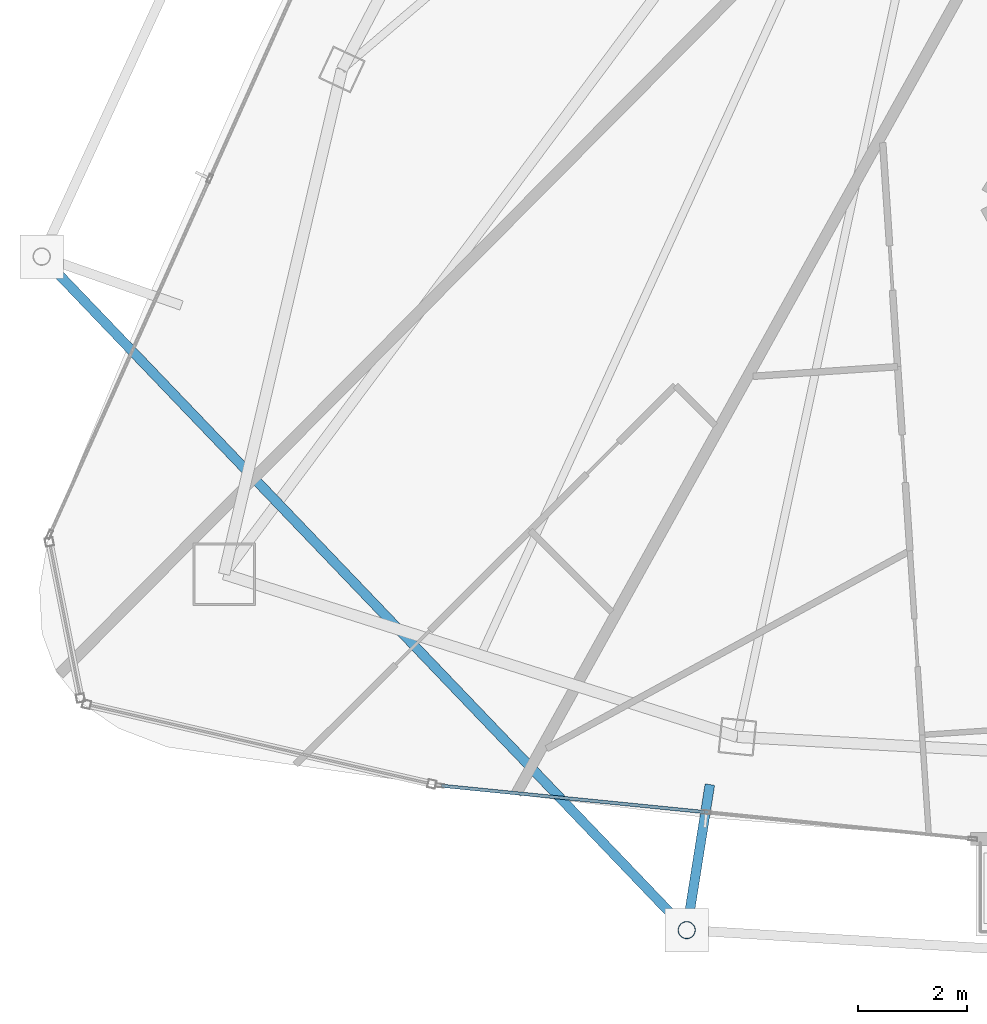
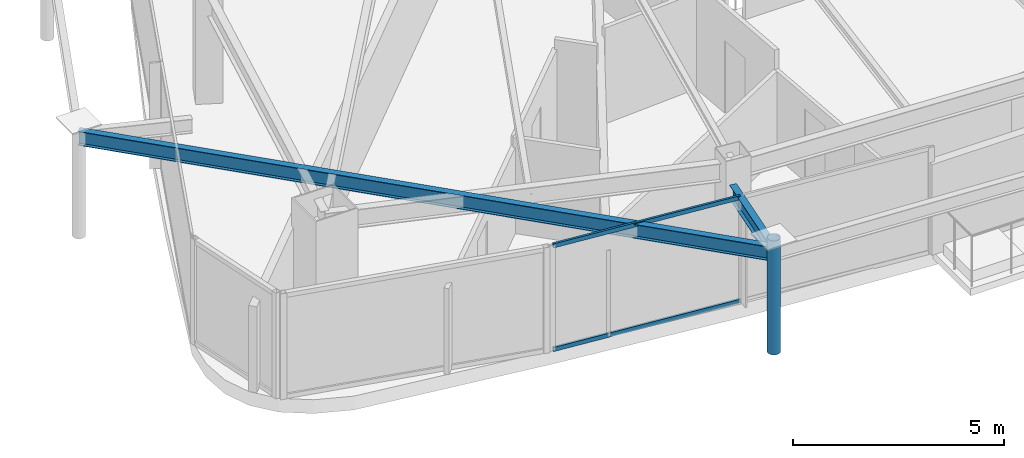
# One storey, part 3 of 29: 3 members, 2 beams, 1 element without a shape of its own.
"""IFC4 building model written with IfcOpenShell, lengths in metres."""

from ifc_helpers import new_model, si_unit, direction, frame, origin, origin_2d, place, context, subcontext, project, spatial, hollow_rectangle, hollow_circle, i_section, extrude, material, layer, layer_set, material_profile, profile_set, type_object, element, aggregate, save


model = new_model("IFC4")

# Units and contexts
model_context = context("Model", 3, precision=1e-05, world=origin(), true_north=direction((0.0, 1.0)))
body_context = subcontext(model_context, "Body", "Model", "MODEL_VIEW")
ifc_project = project(units=[si_unit("LENGTHUNIT", "METRE"), si_unit("AREAUNIT", "SQUARE_METRE"), si_unit("VOLUMEUNIT", "CUBIC_METRE"), si_unit("PLANEANGLEUNIT", "RADIAN"), si_unit("MASSUNIT", "GRAM", prefix="KILO")], contexts=[model_context])

# Site, building, storey
site_placement = place(None, origin())
site = spatial("IfcSite", under=ifc_project, at=site_placement, CompositionType="ELEMENT")
building_placement = place(site_placement, origin())
building = spatial("IfcBuilding", under=site, at=building_placement, Name="Orvanel Arch Residences", CompositionType="ELEMENT")
storey_placement = place(building_placement, frame((0.0, 0.0, 256.85009765625)))
storey = spatial("IfcBuildingStorey", under=building, at=storey_placement, Name="L73", CompositionType="ELEMENT", Elevation=256.85009765625)

# Beams
ifc_material_1 = material(Name="Structural steel AS/NZS 3679.1 Grade 300 (300 MPa)", Category="steel")
ifc_material_profile_1 = material_profile(ifc_material_1, i_section(OverallWidth=0.177978515625, OverallDepth=0.406005859375, WebThickness=0.0078125, FlangeThickness=0.0126953125, at=origin_2d()), Name="410UB59.7")
ifc_profile_set_1 = profile_set([ifc_material_profile_1], Name="Structural steel AS/NZS 3679.1 Grade 300 (300 MPa)")
beam_type = type_object("IfcBeamType", Name="OB-410UB-EXT", PredefinedType="SPANDREL", material=ifc_profile_set_1)
beam_1_placement = place(storey_placement, frame((10.841064453125, 16.197021484375, 2.85693359375), z_axis=(0.691619639198, -0.722261915565, 0.0), x_axis=(0.722261915565, 0.691619639198, 0.0)))
element("IfcBeam", 1, at=beam_1_placement, inside=storey, type_object=beam_type, Name="L73 Outer Perimeter Floor Ring Beam 04", PredefinedType="SPANDREL", context=body_context, shape_type="SweptSolid", body=[
    extrude(i_section(OverallWidth=0.177978515625, OverallDepth=0.406005859375, WebThickness=0.0078125, FlangeThickness=0.0126953125, at=origin_2d()), origin(), (0.0, 0.0, 1.0), 17.169921875),
])
beam_2_placement = place(storey_placement, frame((23.14208984375, 6.47607421875, 2.85693359375), z_axis=(-0.15698343564, -0.98760123579, 0.0), x_axis=(0.98760123579, -0.15698343564, 0.0)))
element("IfcBeam", 2, at=beam_2_placement, inside=storey, type_object=beam_type, Name="L73 Outer Frame Radial Tie Beam 05", PredefinedType="SPANDREL", context=body_context, shape_type="SweptSolid", body=[
    extrude(i_section(OverallWidth=0.177978515625, OverallDepth=0.406005859375, WebThickness=0.0078125, FlangeThickness=0.0126953125, at=origin_2d()), origin(), (0.0, 0.0, 1.0), 2.7138671875),
])

# Member
ifc_material_2 = material(Name="Structural steel AS/NZS 1163 C350L0 (Grade 350)", Category="steel")
ifc_material_profile_2 = material_profile(ifc_material_2, hollow_circle(Radius=0.162109375, WallThickness=0.0126953125, at=origin_2d()), Name="CHS324x12.7")
ifc_profile_set_2 = profile_set([ifc_material_profile_2], Name="Structural steel AS/NZS 1163 C350L0 (Grade 350)")
member_type_1 = type_object("IfcMemberType", Name="ST-324CHS-EXT", PredefinedType="STRUT", material=ifc_profile_set_2)
member_1_placement = place(storey_placement, frame((22.716064453125, 3.7958984375, 0.0), z_axis=(0.0, 0.0, 1.0), x_axis=(1.0, 0.0, 0.0)))
element("IfcMember", 3, at=member_1_placement, inside=storey, type_object=member_type_1, Name="L73 Outer Perimeter Frame Post 05", PredefinedType="STRUT", context=body_context, shape_type="SweptSolid", body=[
    extrude(hollow_circle(Radius=0.162109375, WallThickness=0.0126953125, at=origin_2d()), origin(), (0.0, 0.0, 1.0), 3.2998046875),
])

# Curtain wall, members
ifc_material_3 = material(Name="Bronze-anodised aluminium AA6063-T6", Category="aluminium")
ifc_layer = layer(ifc_material_3, 0.175048828125)
ifc_layer_set = layer_set([ifc_layer], Name="Bronze-anodised aluminium AA6063-T6")
curtain_wall_type = type_object("IfcCurtainWallType", Name="CW4-HI-SYS", PredefinedType="NOTDEFINED", material=ifc_layer_set)
curtain_wall_placement = place(storey_placement, origin())
curtain_wall = element("IfcCurtainWall", 4, at=curtain_wall_placement, inside=storey, type_object=curtain_wall_type, Name="L73 CW4-HI-SYS Unitised Curtain Wall", PredefinedType="NOTDEFINED")
ifc_material_profile_3 = material_profile(ifc_material_3, hollow_rectangle(XDim=0.06005859375, YDim=0.1201171875, WallThickness=0.00341796875, at=origin_2d()), Name="ALU120x60x3.5")
ifc_profile_set_3 = profile_set([ifc_material_profile_3], Name="Bronze-anodised aluminium AA6063-T6")
member_type_2 = type_object("IfcMemberType", Name="TRN-120x60", PredefinedType="USERDEFINED", material=ifc_profile_set_3)
member_2_placement = place(storey_placement, frame((18.20166015625, 6.45458984375, 0.02978515625), z_axis=(0.995027751564, -0.09959806031, 0.0), x_axis=(0.09959806031, 0.995027751564, 0.0)))
member_2 = element("IfcMember", 5, at=member_2_placement, type_object=member_type_2, Name="CW-S4 transom 1.1", ObjectType="TRANSOM", PredefinedType="USERDEFINED", context=body_context, shape_type="SweptSolid", body=[
    extrude(hollow_rectangle(XDim=0.06005859375, YDim=0.1201171875, WallThickness=0.00341796875, at=origin_2d()), origin(), (0.0, 0.0, 1.0), 4.8681640625),
])
member_3_placement = place(storey_placement, frame((18.20166015625, 6.45458984375, 3.02978515625), z_axis=(0.995027751564, -0.09959806031, 0.0), x_axis=(0.09959806031, 0.995027751564, 0.0)))
member_3 = element("IfcMember", 6, at=member_3_placement, type_object=member_type_2, Name="CW-S4 transom 1.2", ObjectType="TRANSOM", PredefinedType="USERDEFINED", context=body_context, shape_type="SweptSolid", body=[
    extrude(hollow_rectangle(XDim=0.06005859375, YDim=0.1201171875, WallThickness=0.00341796875, at=origin_2d()), origin(), (0.0, 0.0, 1.0), 4.8681640625),
])
aggregate(curtain_wall, [member_2, member_3])

save(model, "model.ifc")
